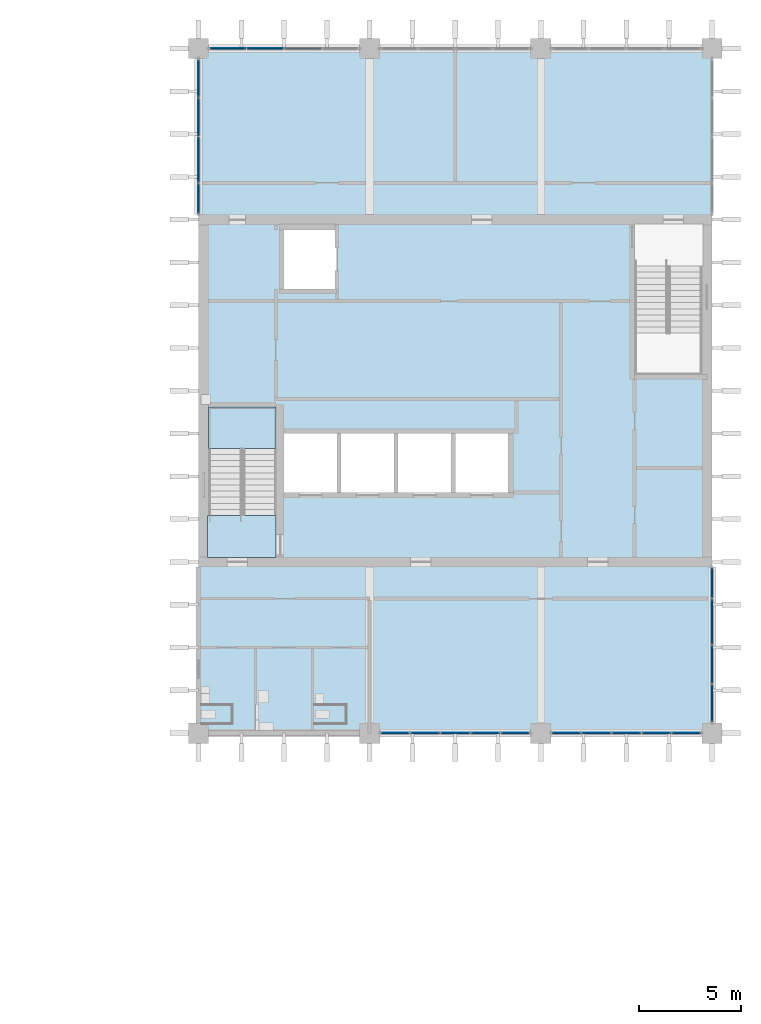
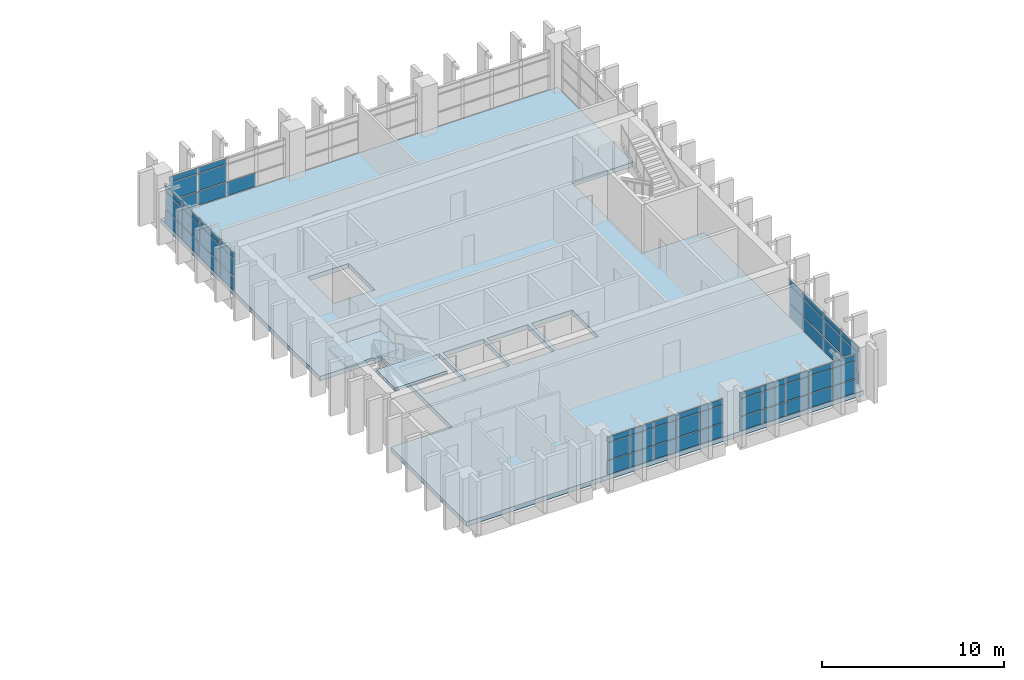
# One storey, part 9 of 24: 61 plates, 3 slabs, 6 elements without a shape of their own.
"""IFC4 building model written with IfcOpenShell, lengths in metres."""

from ifc_helpers import new_model, si_unit, direction, frame, origin, origin_2d, place, context, subcontext, project, spatial, polyline, rectangle, outline, extrude, material, layer, layer_set, type_object, element, aggregate, save


model = new_model("IFC4")

# Units and contexts
model_context = context("Model", 3, precision=1e-05, world=origin(), true_north=direction((0.0, 1.0)))
body_context = subcontext(model_context, "Body", "Model", "MODEL_VIEW")
ifc_project = project(units=[si_unit("LENGTHUNIT", "METRE"), si_unit("AREAUNIT", "SQUARE_METRE"), si_unit("VOLUMEUNIT", "CUBIC_METRE"), si_unit("PLANEANGLEUNIT", "RADIAN"), si_unit("MASSUNIT", "GRAM", prefix="KILO")], contexts=[model_context])

# Site, building, storey
site_placement = place(None, origin())
site = spatial("IfcSite", under=ifc_project, at=site_placement, CompositionType="ELEMENT")
building_placement = place(site_placement, origin())
building = spatial("IfcBuilding", under=site, at=building_placement, Name="Rulbaag Community and Learning Centre", CompositionType="ELEMENT")
storey_placement = place(building_placement, frame((0.0, 0.0, 14.39990234375)))
storey = spatial("IfcBuildingStorey", under=building, at=storey_placement, Name="L03", CompositionType="ELEMENT", Elevation=14.39990234375)

# Curtain wall, plates
ifc_material_1 = material(Name="Aluminium", Category="aluminium")
ifc_layer_1 = layer(ifc_material_1, 0.14990234375)
ifc_layer_set_1 = layer_set([ifc_layer_1], Name="CW-S")
curtain_wall_type_1 = type_object("IfcCurtainWallType", Name="CW-S", PredefinedType="USERDEFINED", material=ifc_layer_set_1)
curtain_wall_1_placement = place(storey_placement, origin())
curtain_wall_1 = element("IfcCurtainWall", 1, at=curtain_wall_1_placement, inside=storey, type_object=curtain_wall_type_1, Name="GS-L03-01", ObjectType="UNITISED CURTAIN WALL", PredefinedType="USERDEFINED")
ifc_layer_2 = layer(ifc_material_1, 0.054931640625)
ifc_layer_set_2 = layer_set([ifc_layer_2], Name="CW-S-SPN")
plate_type_1 = type_object("IfcPlateType", Name="CW-S-SPN", PredefinedType="CURTAIN_PANEL", material=ifc_layer_set_2)
plate_1_placement = place(storey_placement, frame((152.455078125, 84.0, 0.06005859375), z_axis=(0.0, 0.0, 1.0), x_axis=(1.0, 0.0, 0.0)))
plate_1 = element("IfcPlate", 2, at=plate_1_placement, type_object=plate_type_1, Name="GS spandrel panel", PredefinedType="CURTAIN_PANEL", context=body_context, shape_type="SweptSolid", body=[
    extrude(rectangle(XDim=1.389892578125, YDim=0.054931640625, at=origin_2d()), origin(), (0.0, 0.0, 1.0), 0.909912109375),
])
plate_2_placement = place(storey_placement, frame((152.455078125, 84.0, 2.22998046875), z_axis=(0.0, 0.0, 1.0), x_axis=(1.0, 0.0, 0.0)))
plate_2 = element("IfcPlate", 3, at=plate_2_placement, type_object=plate_type_1, Name="GS spandrel panel", PredefinedType="CURTAIN_PANEL", context=body_context, shape_type="SweptSolid", body=[
    extrude(rectangle(XDim=1.389892578125, YDim=0.054931640625, at=origin_2d()), origin(), (0.0, 0.0, 1.0), 0.360107421875),
])
plate_3_placement = place(storey_placement, frame((153.919921875, 84.0, 0.06005859375), z_axis=(0.0, 0.0, 1.0), x_axis=(1.0, 0.0, 0.0)))
plate_3 = element("IfcPlate", 4, at=plate_3_placement, type_object=plate_type_1, Name="GS spandrel panel", PredefinedType="CURTAIN_PANEL", context=body_context, shape_type="SweptSolid", body=[
    extrude(rectangle(XDim=1.419921875, YDim=0.054931640625, at=origin_2d()), origin(), (0.0, 0.0, 1.0), 0.909912109375),
])
plate_4_placement = place(storey_placement, frame((153.919921875, 84.0, 2.22998046875), z_axis=(0.0, 0.0, 1.0), x_axis=(1.0, 0.0, 0.0)))
plate_4 = element("IfcPlate", 5, at=plate_4_placement, type_object=plate_type_1, Name="GS spandrel panel", PredefinedType="CURTAIN_PANEL", context=body_context, shape_type="SweptSolid", body=[
    extrude(rectangle(XDim=1.419921875, YDim=0.054931640625, at=origin_2d()), origin(), (0.0, 0.0, 1.0), 0.360107421875),
])
plate_5_placement = place(storey_placement, frame((155.39990234375, 84.0, 0.06005859375), z_axis=(0.0, 0.0, 1.0), x_axis=(1.0, 0.0, 0.0)))
plate_5 = element("IfcPlate", 6, at=plate_5_placement, type_object=plate_type_1, Name="GS spandrel panel", PredefinedType="CURTAIN_PANEL", context=body_context, shape_type="SweptSolid", body=[
    extrude(rectangle(XDim=1.419921875, YDim=0.054931640625, at=origin_2d()), origin(), (0.0, 0.0, 1.0), 0.909912109375),
])
plate_6_placement = place(storey_placement, frame((155.39990234375, 84.0, 2.22998046875), z_axis=(0.0, 0.0, 1.0), x_axis=(1.0, 0.0, 0.0)))
plate_6 = element("IfcPlate", 7, at=plate_6_placement, type_object=plate_type_1, Name="GS spandrel panel", PredefinedType="CURTAIN_PANEL", context=body_context, shape_type="SweptSolid", body=[
    extrude(rectangle(XDim=1.419921875, YDim=0.054931640625, at=origin_2d()), origin(), (0.0, 0.0, 1.0), 0.360107421875),
])
plate_7_placement = place(storey_placement, frame((156.8798828125, 84.0, 0.06005859375), z_axis=(0.0, 0.0, 1.0), x_axis=(1.0, 0.0, 0.0)))
plate_7 = element("IfcPlate", 8, at=plate_7_placement, type_object=plate_type_1, Name="GS spandrel panel", PredefinedType="CURTAIN_PANEL", context=body_context, shape_type="SweptSolid", body=[
    extrude(rectangle(XDim=1.419921875, YDim=0.054931640625, at=origin_2d()), origin(), (0.0, 0.0, 1.0), 0.909912109375),
])
plate_8_placement = place(storey_placement, frame((156.8798828125, 84.0, 2.22998046875), z_axis=(0.0, 0.0, 1.0), x_axis=(1.0, 0.0, 0.0)))
plate_8 = element("IfcPlate", 9, at=plate_8_placement, type_object=plate_type_1, Name="GS spandrel panel", PredefinedType="CURTAIN_PANEL", context=body_context, shape_type="SweptSolid", body=[
    extrude(rectangle(XDim=1.419921875, YDim=0.054931640625, at=origin_2d()), origin(), (0.0, 0.0, 1.0), 0.360107421875),
])
plate_9_placement = place(storey_placement, frame((158.344970703125, 84.0, 0.06005859375), z_axis=(0.0, 0.0, 1.0), x_axis=(1.0, 0.0, 0.0)))
plate_9 = element("IfcPlate", 10, at=plate_9_placement, type_object=plate_type_1, Name="GS spandrel panel", PredefinedType="CURTAIN_PANEL", context=body_context, shape_type="SweptSolid", body=[
    extrude(rectangle(XDim=1.389892578125, YDim=0.054931640625, at=origin_2d()), origin(), (0.0, 0.0, 1.0), 0.909912109375),
])
plate_10_placement = place(storey_placement, frame((158.344970703125, 84.0, 2.22998046875), z_axis=(0.0, 0.0, 1.0), x_axis=(1.0, 0.0, 0.0)))
plate_10 = element("IfcPlate", 11, at=plate_10_placement, type_object=plate_type_1, Name="GS spandrel panel", PredefinedType="CURTAIN_PANEL", context=body_context, shape_type="SweptSolid", body=[
    extrude(rectangle(XDim=1.389892578125, YDim=0.054931640625, at=origin_2d()), origin(), (0.0, 0.0, 1.0), 0.360107421875),
])

curtain_wall_2_placement = place(storey_placement, origin())
curtain_wall_2 = element("IfcCurtainWall", 12, at=curtain_wall_2_placement, inside=storey, type_object=curtain_wall_type_1, Name="GS-L03-02", ObjectType="UNITISED CURTAIN WALL", PredefinedType="USERDEFINED")
plate_11_placement = place(storey_placement, frame((160.85498046875, 84.0, 0.06005859375), z_axis=(0.0, 0.0, 1.0), x_axis=(1.0, 0.0, 0.0)))
plate_11 = element("IfcPlate", 13, at=plate_11_placement, type_object=plate_type_1, Name="GS spandrel panel", PredefinedType="CURTAIN_PANEL", context=body_context, shape_type="SweptSolid", body=[
    extrude(rectangle(XDim=1.389892578125, YDim=0.054931640625, at=origin_2d()), origin(), (0.0, 0.0, 1.0), 0.909912109375),
])
plate_12_placement = place(storey_placement, frame((160.85498046875, 84.0, 2.22998046875), z_axis=(0.0, 0.0, 1.0), x_axis=(1.0, 0.0, 0.0)))
plate_12 = element("IfcPlate", 14, at=plate_12_placement, type_object=plate_type_1, Name="GS spandrel panel", PredefinedType="CURTAIN_PANEL", context=body_context, shape_type="SweptSolid", body=[
    extrude(rectangle(XDim=1.389892578125, YDim=0.054931640625, at=origin_2d()), origin(), (0.0, 0.0, 1.0), 0.360107421875),
])
plate_13_placement = place(storey_placement, frame((162.320068359375, 84.0, 0.06005859375), z_axis=(0.0, 0.0, 1.0), x_axis=(1.0, 0.0, 0.0)))
plate_13 = element("IfcPlate", 15, at=plate_13_placement, type_object=plate_type_1, Name="GS spandrel panel", PredefinedType="CURTAIN_PANEL", context=body_context, shape_type="SweptSolid", body=[
    extrude(rectangle(XDim=1.419921875, YDim=0.054931640625, at=origin_2d()), origin(), (0.0, 0.0, 1.0), 0.909912109375),
])
plate_14_placement = place(storey_placement, frame((162.320068359375, 84.0, 2.22998046875), z_axis=(0.0, 0.0, 1.0), x_axis=(1.0, 0.0, 0.0)))
plate_14 = element("IfcPlate", 16, at=plate_14_placement, type_object=plate_type_1, Name="GS spandrel panel", PredefinedType="CURTAIN_PANEL", context=body_context, shape_type="SweptSolid", body=[
    extrude(rectangle(XDim=1.419921875, YDim=0.054931640625, at=origin_2d()), origin(), (0.0, 0.0, 1.0), 0.360107421875),
])
plate_15_placement = place(storey_placement, frame((163.800048828125, 84.0, 0.06005859375), z_axis=(0.0, 0.0, 1.0), x_axis=(1.0, 0.0, 0.0)))
plate_15 = element("IfcPlate", 17, at=plate_15_placement, type_object=plate_type_1, Name="GS spandrel panel", PredefinedType="CURTAIN_PANEL", context=body_context, shape_type="SweptSolid", body=[
    extrude(rectangle(XDim=1.419921875, YDim=0.054931640625, at=origin_2d()), origin(), (0.0, 0.0, 1.0), 0.909912109375),
])
plate_16_placement = place(storey_placement, frame((163.800048828125, 84.0, 2.22998046875), z_axis=(0.0, 0.0, 1.0), x_axis=(1.0, 0.0, 0.0)))
plate_16 = element("IfcPlate", 18, at=plate_16_placement, type_object=plate_type_1, Name="GS spandrel panel", PredefinedType="CURTAIN_PANEL", context=body_context, shape_type="SweptSolid", body=[
    extrude(rectangle(XDim=1.419921875, YDim=0.054931640625, at=origin_2d()), origin(), (0.0, 0.0, 1.0), 0.360107421875),
])
plate_17_placement = place(storey_placement, frame((165.280029296875, 84.0, 0.06005859375), z_axis=(0.0, 0.0, 1.0), x_axis=(1.0, 0.0, 0.0)))
plate_17 = element("IfcPlate", 19, at=plate_17_placement, type_object=plate_type_1, Name="GS spandrel panel", PredefinedType="CURTAIN_PANEL", context=body_context, shape_type="SweptSolid", body=[
    extrude(rectangle(XDim=1.419921875, YDim=0.054931640625, at=origin_2d()), origin(), (0.0, 0.0, 1.0), 0.909912109375),
])
plate_18_placement = place(storey_placement, frame((165.280029296875, 84.0, 2.22998046875), z_axis=(0.0, 0.0, 1.0), x_axis=(1.0, 0.0, 0.0)))
plate_18 = element("IfcPlate", 20, at=plate_18_placement, type_object=plate_type_1, Name="GS spandrel panel", PredefinedType="CURTAIN_PANEL", context=body_context, shape_type="SweptSolid", body=[
    extrude(rectangle(XDim=1.419921875, YDim=0.054931640625, at=origin_2d()), origin(), (0.0, 0.0, 1.0), 0.360107421875),
])
plate_19_placement = place(storey_placement, frame((166.7451171875, 84.0, 0.06005859375), z_axis=(0.0, 0.0, 1.0), x_axis=(1.0, 0.0, 0.0)))
plate_19 = element("IfcPlate", 21, at=plate_19_placement, type_object=plate_type_1, Name="GS spandrel panel", PredefinedType="CURTAIN_PANEL", context=body_context, shape_type="SweptSolid", body=[
    extrude(rectangle(XDim=1.389892578125, YDim=0.054931640625, at=origin_2d()), origin(), (0.0, 0.0, 1.0), 0.909912109375),
])
plate_20_placement = place(storey_placement, frame((166.7451171875, 84.0, 2.22998046875), z_axis=(0.0, 0.0, 1.0), x_axis=(1.0, 0.0, 0.0)))
plate_20 = element("IfcPlate", 22, at=plate_20_placement, type_object=plate_type_1, Name="GS spandrel panel", PredefinedType="CURTAIN_PANEL", context=body_context, shape_type="SweptSolid", body=[
    extrude(rectangle(XDim=1.389892578125, YDim=0.054931640625, at=origin_2d()), origin(), (0.0, 0.0, 1.0), 0.360107421875),
])

# Plate
ifc_material_2 = material(Name="Glass", Category="glass")
ifc_layer_3 = layer(ifc_material_2, 0.030029296875)
ifc_layer_set_3 = layer_set([ifc_layer_3], Name="CW-S-VIS")
plate_type_2 = type_object("IfcPlateType", Name="CW-S-VIS", PredefinedType="CURTAIN_PANEL", material=ifc_layer_set_3)
plate_21_placement = place(storey_placement, frame((152.455078125, 84.0, 1.0302734375), z_axis=(0.0, 0.0, 1.0), x_axis=(1.0, 0.0, 0.0)))
plate_21 = element("IfcPlate", 23, at=plate_21_placement, type_object=plate_type_2, Name="GS vision panel", PredefinedType="CURTAIN_PANEL", context=body_context, shape_type="SweptSolid", body=[
    extrude(rectangle(XDim=1.389892578125, YDim=0.030029296875, at=origin_2d()), origin(), (0.0, 0.0, 1.0), 1.139892578125),
])

plate_22_placement = place(storey_placement, frame((153.919921875, 84.0, 1.0302734375), z_axis=(0.0, 0.0, 1.0), x_axis=(1.0, 0.0, 0.0)))
plate_22 = element("IfcPlate", 24, at=plate_22_placement, type_object=plate_type_2, Name="GS vision panel", PredefinedType="CURTAIN_PANEL", context=body_context, shape_type="SweptSolid", body=[
    extrude(rectangle(XDim=1.419921875, YDim=0.030029296875, at=origin_2d()), origin(), (0.0, 0.0, 1.0), 1.139892578125),
])

plate_23_placement = place(storey_placement, frame((155.39990234375, 84.0, 1.0302734375), z_axis=(0.0, 0.0, 1.0), x_axis=(1.0, 0.0, 0.0)))
plate_23 = element("IfcPlate", 25, at=plate_23_placement, type_object=plate_type_2, Name="GS vision panel", PredefinedType="CURTAIN_PANEL", context=body_context, shape_type="SweptSolid", body=[
    extrude(rectangle(XDim=1.419921875, YDim=0.030029296875, at=origin_2d()), origin(), (0.0, 0.0, 1.0), 1.139892578125),
])

plate_24_placement = place(storey_placement, frame((156.8798828125, 84.0, 1.0302734375), z_axis=(0.0, 0.0, 1.0), x_axis=(1.0, 0.0, 0.0)))
plate_24 = element("IfcPlate", 26, at=plate_24_placement, type_object=plate_type_2, Name="GS vision panel", PredefinedType="CURTAIN_PANEL", context=body_context, shape_type="SweptSolid", body=[
    extrude(rectangle(XDim=1.419921875, YDim=0.030029296875, at=origin_2d()), origin(), (0.0, 0.0, 1.0), 1.139892578125),
])

plate_25_placement = place(storey_placement, frame((158.344970703125, 84.0, 1.0302734375), z_axis=(0.0, 0.0, 1.0), x_axis=(1.0, 0.0, 0.0)))
plate_25 = element("IfcPlate", 27, at=plate_25_placement, type_object=plate_type_2, Name="GS vision panel", PredefinedType="CURTAIN_PANEL", context=body_context, shape_type="SweptSolid", body=[
    extrude(rectangle(XDim=1.389892578125, YDim=0.030029296875, at=origin_2d()), origin(), (0.0, 0.0, 1.0), 1.139892578125),
])

aggregate(curtain_wall_1, [plate_1, plate_21, plate_2, plate_3, plate_22, plate_4, plate_5, plate_23, plate_6, plate_7, plate_24, plate_8, plate_9, plate_25, plate_10])

plate_26_placement = place(storey_placement, frame((160.85498046875, 84.0, 1.0302734375), z_axis=(0.0, 0.0, 1.0), x_axis=(1.0, 0.0, 0.0)))
plate_26 = element("IfcPlate", 28, at=plate_26_placement, type_object=plate_type_2, Name="GS vision panel", PredefinedType="CURTAIN_PANEL", context=body_context, shape_type="SweptSolid", body=[
    extrude(rectangle(XDim=1.389892578125, YDim=0.030029296875, at=origin_2d()), origin(), (0.0, 0.0, 1.0), 1.139892578125),
])

plate_27_placement = place(storey_placement, frame((162.320068359375, 84.0, 1.0302734375), z_axis=(0.0, 0.0, 1.0), x_axis=(1.0, 0.0, 0.0)))
plate_27 = element("IfcPlate", 29, at=plate_27_placement, type_object=plate_type_2, Name="GS vision panel", PredefinedType="CURTAIN_PANEL", context=body_context, shape_type="SweptSolid", body=[
    extrude(rectangle(XDim=1.419921875, YDim=0.030029296875, at=origin_2d()), origin(), (0.0, 0.0, 1.0), 1.139892578125),
])

plate_28_placement = place(storey_placement, frame((163.800048828125, 84.0, 1.0302734375), z_axis=(0.0, 0.0, 1.0), x_axis=(1.0, 0.0, 0.0)))
plate_28 = element("IfcPlate", 30, at=plate_28_placement, type_object=plate_type_2, Name="GS vision panel", PredefinedType="CURTAIN_PANEL", context=body_context, shape_type="SweptSolid", body=[
    extrude(rectangle(XDim=1.419921875, YDim=0.030029296875, at=origin_2d()), origin(), (0.0, 0.0, 1.0), 1.139892578125),
])

plate_29_placement = place(storey_placement, frame((165.280029296875, 84.0, 1.0302734375), z_axis=(0.0, 0.0, 1.0), x_axis=(1.0, 0.0, 0.0)))
plate_29 = element("IfcPlate", 31, at=plate_29_placement, type_object=plate_type_2, Name="GS vision panel", PredefinedType="CURTAIN_PANEL", context=body_context, shape_type="SweptSolid", body=[
    extrude(rectangle(XDim=1.419921875, YDim=0.030029296875, at=origin_2d()), origin(), (0.0, 0.0, 1.0), 1.139892578125),
])

plate_30_placement = place(storey_placement, frame((166.7451171875, 84.0, 1.0302734375), z_axis=(0.0, 0.0, 1.0), x_axis=(1.0, 0.0, 0.0)))
plate_30 = element("IfcPlate", 32, at=plate_30_placement, type_object=plate_type_2, Name="GS vision panel", PredefinedType="CURTAIN_PANEL", context=body_context, shape_type="SweptSolid", body=[
    extrude(rectangle(XDim=1.389892578125, YDim=0.030029296875, at=origin_2d()), origin(), (0.0, 0.0, 1.0), 1.139892578125),
])

aggregate(curtain_wall_2, [plate_11, plate_26, plate_12, plate_13, plate_27, plate_14, plate_15, plate_28, plate_16, plate_17, plate_29, plate_18, plate_19, plate_30, plate_20])

# Curtain wall, plates
ifc_layer_4 = layer(ifc_material_1, 0.14990234375)
ifc_layer_set_4 = layer_set([ifc_layer_4], Name="CW-T")
curtain_wall_type_2 = type_object("IfcCurtainWallType", Name="CW-T", PredefinedType="USERDEFINED", material=ifc_layer_set_4)
curtain_wall_3_placement = place(storey_placement, origin())
curtain_wall_3 = element("IfcCurtainWall", 33, at=curtain_wall_3_placement, inside=storey, type_object=curtain_wall_type_2, Name="GT-L03-01", ObjectType="UNITISED CURTAIN WALL", PredefinedType="USERDEFINED")
ifc_layer_5 = layer(ifc_material_1, 0.06005859375)
ifc_layer_set_5 = layer_set([ifc_layer_5], Name="CW-T-SPN")
plate_type_3 = type_object("IfcPlateType", Name="CW-T-SPN", PredefinedType="CURTAIN_PANEL", material=ifc_layer_set_5)
plate_31_placement = place(storey_placement, frame((144.2412109375, 117.60009765625, 0.06494140625), z_axis=(0.0, 0.0, 1.0), x_axis=(1.0, 0.0, 0.0)))
plate_31 = element("IfcPlate", 34, at=plate_31_placement, type_object=plate_type_3, Name="GT spandrel panel", PredefinedType="CURTAIN_PANEL", context=body_context, shape_type="SweptSolid", body=[
    extrude(rectangle(XDim=1.75244140625, YDim=0.06005859375, at=origin_2d()), origin(), (0.0, 0.0, 1.0), 0.902587890625),
])
plate_32_placement = place(storey_placement, frame((144.2412109375, 117.60009765625, 2.232666015625), z_axis=(0.0, 0.0, 1.0), x_axis=(1.0, 0.0, 0.0)))
plate_32 = element("IfcPlate", 35, at=plate_32_placement, type_object=plate_type_3, Name="GT spandrel panel", PredefinedType="CURTAIN_PANEL", context=body_context, shape_type="SweptSolid", body=[
    extrude(rectangle(XDim=1.75244140625, YDim=0.06005859375, at=origin_2d()), origin(), (0.0, 0.0, 1.0), 0.3525390625),
])
plate_33_placement = place(storey_placement, frame((146.074951171875, 117.60009765625, 0.06494140625), z_axis=(0.0, 0.0, 1.0), x_axis=(1.0, 0.0, 0.0)))
plate_33 = element("IfcPlate", 36, at=plate_33_placement, type_object=plate_type_3, Name="GT spandrel panel", PredefinedType="CURTAIN_PANEL", context=body_context, shape_type="SweptSolid", body=[
    extrude(rectangle(XDim=1.784912109375, YDim=0.06005859375, at=origin_2d()), origin(), (0.0, 0.0, 1.0), 0.902587890625),
])
plate_34_placement = place(storey_placement, frame((146.074951171875, 117.60009765625, 2.232666015625), z_axis=(0.0, 0.0, 1.0), x_axis=(1.0, 0.0, 0.0)))
plate_34 = element("IfcPlate", 37, at=plate_34_placement, type_object=plate_type_3, Name="GT spandrel panel", PredefinedType="CURTAIN_PANEL", context=body_context, shape_type="SweptSolid", body=[
    extrude(rectangle(XDim=1.784912109375, YDim=0.06005859375, at=origin_2d()), origin(), (0.0, 0.0, 1.0), 0.3525390625),
])
plate_35_placement = place(storey_placement, frame((147.925048828125, 117.60009765625, 0.06494140625), z_axis=(0.0, 0.0, 1.0), x_axis=(1.0, 0.0, 0.0)))
plate_35 = element("IfcPlate", 38, at=plate_35_placement, type_object=plate_type_3, Name="GT spandrel panel", PredefinedType="CURTAIN_PANEL", context=body_context, shape_type="SweptSolid", body=[
    extrude(rectangle(XDim=1.784912109375, YDim=0.06005859375, at=origin_2d()), origin(), (0.0, 0.0, 1.0), 0.902587890625),
])

curtain_wall_4_placement = place(storey_placement, origin())
curtain_wall_4 = element("IfcCurtainWall", 39, at=curtain_wall_4_placement, inside=storey, type_object=curtain_wall_type_2, Name="GT-L03-04", ObjectType="UNITISED CURTAIN WALL", PredefinedType="USERDEFINED")
plate_36_placement = place(storey_placement, frame((142.800048828125, 110.2412109375, 0.06494140625), z_axis=(0.0, 0.0, 1.0), x_axis=(0.0, 1.0, 0.0)))
plate_36 = element("IfcPlate", 40, at=plate_36_placement, type_object=plate_type_3, Name="GT spandrel panel", PredefinedType="CURTAIN_PANEL", context=body_context, shape_type="SweptSolid", body=[
    extrude(rectangle(XDim=1.452392578125, YDim=0.06005859375, at=origin_2d()), origin(), (0.0, 0.0, 1.0), 0.902587890625),
])
plate_37_placement = place(storey_placement, frame((142.800048828125, 110.2412109375, 2.232666015625), z_axis=(0.0, 0.0, 1.0), x_axis=(0.0, 1.0, 0.0)))
plate_37 = element("IfcPlate", 41, at=plate_37_placement, type_object=plate_type_3, Name="GT spandrel panel", PredefinedType="CURTAIN_PANEL", context=body_context, shape_type="SweptSolid", body=[
    extrude(rectangle(XDim=1.452392578125, YDim=0.06005859375, at=origin_2d()), origin(), (0.0, 0.0, 1.0), 0.3525390625),
])
plate_38_placement = place(storey_placement, frame((142.800048828125, 112.137451171875, 0.06494140625), z_axis=(0.0, 0.0, 1.0), x_axis=(0.0, 1.0, 0.0)))
plate_38 = element("IfcPlate", 42, at=plate_38_placement, type_object=plate_type_3, Name="GT spandrel panel", PredefinedType="CURTAIN_PANEL", context=body_context, shape_type="SweptSolid", body=[
    extrude(rectangle(XDim=2.2099609375, YDim=0.06005859375, at=origin_2d()), origin(), (0.0, 0.0, 1.0), 0.902587890625),
])
plate_39_placement = place(storey_placement, frame((142.800048828125, 112.137451171875, 2.232666015625), z_axis=(0.0, 0.0, 1.0), x_axis=(0.0, 1.0, 0.0)))
plate_39 = element("IfcPlate", 43, at=plate_39_placement, type_object=plate_type_3, Name="GT spandrel panel", PredefinedType="CURTAIN_PANEL", context=body_context, shape_type="SweptSolid", body=[
    extrude(rectangle(XDim=2.2099609375, YDim=0.06005859375, at=origin_2d()), origin(), (0.0, 0.0, 1.0), 0.3525390625),
])
plate_40_placement = place(storey_placement, frame((142.800048828125, 114.231201171875, 0.06494140625), z_axis=(0.0, 0.0, 1.0), x_axis=(0.0, 1.0, 0.0)))
plate_40 = element("IfcPlate", 44, at=plate_40_placement, type_object=plate_type_3, Name="GT spandrel panel", PredefinedType="CURTAIN_PANEL", context=body_context, shape_type="SweptSolid", body=[
    extrude(rectangle(XDim=1.847412109375, YDim=0.06005859375, at=origin_2d()), origin(), (0.0, 0.0, 1.0), 0.902587890625),
])
plate_41_placement = place(storey_placement, frame((142.800048828125, 114.231201171875, 2.232666015625), z_axis=(0.0, 0.0, 1.0), x_axis=(0.0, 1.0, 0.0)))
plate_41 = element("IfcPlate", 45, at=plate_41_placement, type_object=plate_type_3, Name="GT spandrel panel", PredefinedType="CURTAIN_PANEL", context=body_context, shape_type="SweptSolid", body=[
    extrude(rectangle(XDim=1.847412109375, YDim=0.06005859375, at=origin_2d()), origin(), (0.0, 0.0, 1.0), 0.3525390625),
])
plate_42_placement = place(storey_placement, frame((142.800048828125, 116.12744140625, 0.06494140625), z_axis=(0.0, 0.0, 1.0), x_axis=(0.0, 1.0, 0.0)))
plate_42 = element("IfcPlate", 46, at=plate_42_placement, type_object=plate_type_3, Name="GT spandrel panel", PredefinedType="CURTAIN_PANEL", context=body_context, shape_type="SweptSolid", body=[
    extrude(rectangle(XDim=1.81494140625, YDim=0.06005859375, at=origin_2d()), origin(), (0.0, 0.0, 1.0), 0.902587890625),
])
plate_43_placement = place(storey_placement, frame((142.800048828125, 116.12744140625, 2.232666015625), z_axis=(0.0, 0.0, 1.0), x_axis=(0.0, 1.0, 0.0)))
plate_43 = element("IfcPlate", 47, at=plate_43_placement, type_object=plate_type_3, Name="GT spandrel panel", PredefinedType="CURTAIN_PANEL", context=body_context, shape_type="SweptSolid", body=[
    extrude(rectangle(XDim=1.81494140625, YDim=0.06005859375, at=origin_2d()), origin(), (0.0, 0.0, 1.0), 0.3525390625),
])

curtain_wall_5_placement = place(storey_placement, origin())
curtain_wall_5 = element("IfcCurtainWall", 48, at=curtain_wall_5_placement, inside=storey, type_object=curtain_wall_type_2, Name="GT-L03-05", ObjectType="UNITISED CURTAIN WALL", PredefinedType="USERDEFINED")
plate_44_placement = place(storey_placement, frame((168.0, 85.472412109375, 0.06494140625), z_axis=(0.0, 0.0, 1.0), x_axis=(0.0, 1.0, 0.0)))
plate_44 = element("IfcPlate", 49, at=plate_44_placement, type_object=plate_type_3, Name="GT spandrel panel", PredefinedType="CURTAIN_PANEL", context=body_context, shape_type="SweptSolid", body=[
    extrude(rectangle(XDim=1.81494140625, YDim=0.06005859375, at=origin_2d()), origin(), (0.0, 0.0, 1.0), 0.902587890625),
])
plate_45_placement = place(storey_placement, frame((168.0, 85.472412109375, 2.232666015625), z_axis=(0.0, 0.0, 1.0), x_axis=(0.0, 1.0, 0.0)))
plate_45 = element("IfcPlate", 50, at=plate_45_placement, type_object=plate_type_3, Name="GT spandrel panel", PredefinedType="CURTAIN_PANEL", context=body_context, shape_type="SweptSolid", body=[
    extrude(rectangle(XDim=1.81494140625, YDim=0.06005859375, at=origin_2d()), origin(), (0.0, 0.0, 1.0), 0.3525390625),
])
plate_46_placement = place(storey_placement, frame((168.0, 87.36865234375, 0.06494140625), z_axis=(0.0, 0.0, 1.0), x_axis=(0.0, 1.0, 0.0)))
plate_46 = element("IfcPlate", 51, at=plate_46_placement, type_object=plate_type_3, Name="GT spandrel panel", PredefinedType="CURTAIN_PANEL", context=body_context, shape_type="SweptSolid", body=[
    extrude(rectangle(XDim=1.847412109375, YDim=0.06005859375, at=origin_2d()), origin(), (0.0, 0.0, 1.0), 0.902587890625),
])
plate_47_placement = place(storey_placement, frame((168.0, 87.36865234375, 2.232666015625), z_axis=(0.0, 0.0, 1.0), x_axis=(0.0, 1.0, 0.0)))
plate_47 = element("IfcPlate", 52, at=plate_47_placement, type_object=plate_type_3, Name="GT spandrel panel", PredefinedType="CURTAIN_PANEL", context=body_context, shape_type="SweptSolid", body=[
    extrude(rectangle(XDim=1.847412109375, YDim=0.06005859375, at=origin_2d()), origin(), (0.0, 0.0, 1.0), 0.3525390625),
])
plate_48_placement = place(storey_placement, frame((168.0, 89.46240234375, 0.06494140625), z_axis=(0.0, 0.0, 1.0), x_axis=(0.0, 1.0, 0.0)))
plate_48 = element("IfcPlate", 53, at=plate_48_placement, type_object=plate_type_3, Name="GT spandrel panel", PredefinedType="CURTAIN_PANEL", context=body_context, shape_type="SweptSolid", body=[
    extrude(rectangle(XDim=2.2099609375, YDim=0.06005859375, at=origin_2d()), origin(), (0.0, 0.0, 1.0), 0.902587890625),
])
plate_49_placement = place(storey_placement, frame((168.0, 89.46240234375, 2.232666015625), z_axis=(0.0, 0.0, 1.0), x_axis=(0.0, 1.0, 0.0)))
plate_49 = element("IfcPlate", 54, at=plate_49_placement, type_object=plate_type_3, Name="GT spandrel panel", PredefinedType="CURTAIN_PANEL", context=body_context, shape_type="SweptSolid", body=[
    extrude(rectangle(XDim=2.2099609375, YDim=0.06005859375, at=origin_2d()), origin(), (0.0, 0.0, 1.0), 0.3525390625),
])
plate_50_placement = place(storey_placement, frame((168.0, 91.358642578125, 0.06494140625), z_axis=(0.0, 0.0, 1.0), x_axis=(0.0, 1.0, 0.0)))
plate_50 = element("IfcPlate", 55, at=plate_50_placement, type_object=plate_type_3, Name="GT spandrel panel", PredefinedType="CURTAIN_PANEL", context=body_context, shape_type="SweptSolid", body=[
    extrude(rectangle(XDim=1.452392578125, YDim=0.06005859375, at=origin_2d()), origin(), (0.0, 0.0, 1.0), 0.902587890625),
])
plate_51_placement = place(storey_placement, frame((168.0, 91.358642578125, 2.232666015625), z_axis=(0.0, 0.0, 1.0), x_axis=(0.0, 1.0, 0.0)))
plate_51 = element("IfcPlate", 56, at=plate_51_placement, type_object=plate_type_3, Name="GT spandrel panel", PredefinedType="CURTAIN_PANEL", context=body_context, shape_type="SweptSolid", body=[
    extrude(rectangle(XDim=1.452392578125, YDim=0.06005859375, at=origin_2d()), origin(), (0.0, 0.0, 1.0), 0.3525390625),
])

# Plate
ifc_layer_6 = layer(ifc_material_2, 0.028076171875)
ifc_layer_set_6 = layer_set([ifc_layer_6], Name="CW-T-VIS")
plate_type_4 = type_object("IfcPlateType", Name="CW-T-VIS", PredefinedType="CURTAIN_PANEL", material=ifc_layer_set_6)
plate_52_placement = place(storey_placement, frame((144.2412109375, 117.60009765625, 1.03271484375), z_axis=(0.0, 0.0, 1.0), x_axis=(1.0, 0.0, 0.0)))
plate_52 = element("IfcPlate", 57, at=plate_52_placement, type_object=plate_type_4, Name="GT vision panel", PredefinedType="CURTAIN_PANEL", context=body_context, shape_type="SweptSolid", body=[
    extrude(rectangle(XDim=1.75244140625, YDim=0.028076171875, at=origin_2d()), origin(), (0.0, 0.0, 1.0), 1.135009765625),
])

plate_53_placement = place(storey_placement, frame((146.074951171875, 117.60009765625, 1.03271484375), z_axis=(0.0, 0.0, 1.0), x_axis=(1.0, 0.0, 0.0)))
plate_53 = element("IfcPlate", 58, at=plate_53_placement, type_object=plate_type_4, Name="GT vision panel", PredefinedType="CURTAIN_PANEL", context=body_context, shape_type="SweptSolid", body=[
    extrude(rectangle(XDim=1.784912109375, YDim=0.028076171875, at=origin_2d()), origin(), (0.0, 0.0, 1.0), 1.135009765625),
])

aggregate(curtain_wall_3, [plate_31, plate_52, plate_32, plate_33, plate_53, plate_34, plate_35])

plate_54_placement = place(storey_placement, frame((142.800048828125, 110.2412109375, 1.03271484375), z_axis=(0.0, 0.0, 1.0), x_axis=(0.0, 1.0, 0.0)))
plate_54 = element("IfcPlate", 59, at=plate_54_placement, type_object=plate_type_4, Name="GT vision panel", PredefinedType="CURTAIN_PANEL", context=body_context, shape_type="SweptSolid", body=[
    extrude(rectangle(XDim=1.452392578125, YDim=0.028076171875, at=origin_2d()), origin(), (0.0, 0.0, 1.0), 1.135009765625),
])

plate_55_placement = place(storey_placement, frame((142.800048828125, 112.137451171875, 1.03271484375), z_axis=(0.0, 0.0, 1.0), x_axis=(0.0, 1.0, 0.0)))
plate_55 = element("IfcPlate", 60, at=plate_55_placement, type_object=plate_type_4, Name="GT vision panel", PredefinedType="CURTAIN_PANEL", context=body_context, shape_type="SweptSolid", body=[
    extrude(rectangle(XDim=2.2099609375, YDim=0.028076171875, at=origin_2d()), origin(), (0.0, 0.0, 1.0), 1.135009765625),
])

plate_56_placement = place(storey_placement, frame((142.800048828125, 114.231201171875, 1.03271484375), z_axis=(0.0, 0.0, 1.0), x_axis=(0.0, 1.0, 0.0)))
plate_56 = element("IfcPlate", 61, at=plate_56_placement, type_object=plate_type_4, Name="GT vision panel", PredefinedType="CURTAIN_PANEL", context=body_context, shape_type="SweptSolid", body=[
    extrude(rectangle(XDim=1.847412109375, YDim=0.028076171875, at=origin_2d()), origin(), (0.0, 0.0, 1.0), 1.135009765625),
])

plate_57_placement = place(storey_placement, frame((142.800048828125, 116.12744140625, 1.03271484375), z_axis=(0.0, 0.0, 1.0), x_axis=(0.0, 1.0, 0.0)))
plate_57 = element("IfcPlate", 62, at=plate_57_placement, type_object=plate_type_4, Name="GT vision panel", PredefinedType="CURTAIN_PANEL", context=body_context, shape_type="SweptSolid", body=[
    extrude(rectangle(XDim=1.81494140625, YDim=0.028076171875, at=origin_2d()), origin(), (0.0, 0.0, 1.0), 1.135009765625),
])

aggregate(curtain_wall_4, [plate_36, plate_54, plate_37, plate_38, plate_55, plate_39, plate_40, plate_56, plate_41, plate_42, plate_57, plate_43])

plate_58_placement = place(storey_placement, frame((168.0, 85.472412109375, 1.03271484375), z_axis=(0.0, 0.0, 1.0), x_axis=(0.0, 1.0, 0.0)))
plate_58 = element("IfcPlate", 63, at=plate_58_placement, type_object=plate_type_4, Name="GT vision panel", PredefinedType="CURTAIN_PANEL", context=body_context, shape_type="SweptSolid", body=[
    extrude(rectangle(XDim=1.81494140625, YDim=0.028076171875, at=origin_2d()), origin(), (0.0, 0.0, 1.0), 1.135009765625),
])

plate_59_placement = place(storey_placement, frame((168.0, 87.36865234375, 1.03271484375), z_axis=(0.0, 0.0, 1.0), x_axis=(0.0, 1.0, 0.0)))
plate_59 = element("IfcPlate", 64, at=plate_59_placement, type_object=plate_type_4, Name="GT vision panel", PredefinedType="CURTAIN_PANEL", context=body_context, shape_type="SweptSolid", body=[
    extrude(rectangle(XDim=1.847412109375, YDim=0.028076171875, at=origin_2d()), origin(), (0.0, 0.0, 1.0), 1.135009765625),
])

plate_60_placement = place(storey_placement, frame((168.0, 89.46240234375, 1.03271484375), z_axis=(0.0, 0.0, 1.0), x_axis=(0.0, 1.0, 0.0)))
plate_60 = element("IfcPlate", 65, at=plate_60_placement, type_object=plate_type_4, Name="GT vision panel", PredefinedType="CURTAIN_PANEL", context=body_context, shape_type="SweptSolid", body=[
    extrude(rectangle(XDim=2.2099609375, YDim=0.028076171875, at=origin_2d()), origin(), (0.0, 0.0, 1.0), 1.135009765625),
])

plate_61_placement = place(storey_placement, frame((168.0, 91.358642578125, 1.03271484375), z_axis=(0.0, 0.0, 1.0), x_axis=(0.0, 1.0, 0.0)))
plate_61 = element("IfcPlate", 66, at=plate_61_placement, type_object=plate_type_4, Name="GT vision panel", PredefinedType="CURTAIN_PANEL", context=body_context, shape_type="SweptSolid", body=[
    extrude(rectangle(XDim=1.452392578125, YDim=0.028076171875, at=origin_2d()), origin(), (0.0, 0.0, 1.0), 1.135009765625),
])

aggregate(curtain_wall_5, [plate_44, plate_58, plate_45, plate_46, plate_59, plate_47, plate_48, plate_60, plate_49, plate_50, plate_61, plate_51])

# Stair, slabs
ifc_material_3 = material(Name="Concrete M40", Category="concrete")
stair_type = type_object("IfcStairType", Name="ST-1650 STAIR 1650 WIDE", PredefinedType="HALF_TURN_STAIR", material=ifc_material_3)
stair_placement = place(storey_placement, origin())
stair = element("IfcStair", 67, at=stair_placement, inside=storey, type_object=stair_type, Name="Stair ST1 L03", PredefinedType="HALF_TURN_STAIR")
ifc_layer_7 = layer(ifc_material_3, 0.179931640625)
ifc_layer_set_7 = layer_set([ifc_layer_7], Name="LN-180 LANDING 180 Concrete M40")
slab_type_1 = type_object("IfcSlabType", Name="LN-180 LANDING 180 Concrete M40", PredefinedType="LANDING", material=ifc_layer_set_7)
slab_1_placement = place(storey_placement, frame((0.0, 0.0, 1.6201171875)))
slab_1 = element("IfcSlab", 68, at=slab_1_placement, type_object=slab_type_1, Name="ST1 landing 1", PredefinedType="LANDING", context=body_context, shape_type="SweptSolid", body=[
    extrude(outline(polyline([(143.300048828125, 97.97509765625), (143.300048828125, 100.0), (146.60009765625, 100.0), (146.60009765625, 97.97509765625), (143.300048828125, 97.97509765625)])), origin(), (0.0, 0.0, 1.0), 0.179931640625),
])
slab_2_placement = place(storey_placement, frame((0.0, 0.0, 3.420166015625)))
slab_2 = element("IfcSlab", 69, at=slab_2_placement, type_object=slab_type_1, Name="ST1 landing 2", PredefinedType="LANDING", context=body_context, shape_type="SweptSolid", body=[
    extrude(outline(polyline([(143.25, 92.625), (143.25, 94.675048828125), (146.60009765625, 94.675048828125), (146.60009765625, 92.625), (143.25, 92.625)])), origin(), (0.0, 0.0, 1.0), 0.179931640625),
])
aggregate(stair, [slab_1, slab_2])

# Slab
ifc_layer_8 = layer(ifc_material_3, 0.300048828125)
ifc_layer_set_8 = layer_set([ifc_layer_8], Name="S5 Floor slab 300 Concrete M40")
slab_type_2 = type_object("IfcSlabType", Name="S5 Floor slab 300 Concrete M40", PredefinedType="FLOOR", material=ifc_layer_set_8)
slab_3_placement = place(storey_placement, frame((0.0, 0.0, -0.2998046875)))
element("IfcSlab", 70, at=slab_3_placement, inside=storey, type_object=slab_type_2, Name="SL-L03-B01", PredefinedType="FLOOR", context=body_context, shape_type="SweptSolid", body=[
    extrude(outline(polyline([(142.800048828125, 84.0), (142.800048828125, 92.300048828125), (146.699951171875, 92.300048828125), (146.699951171875, 100.10009765625), (142.800048828125, 100.10009765625), (142.800048828125, 117.60009765625), (168.0, 117.60009765625), (168.0, 109.300048828125), (164.10009765625, 109.300048828125), (164.10009765625, 101.5), (168.0, 101.5), (168.0, 84.0), (142.800048828125, 84.0)]), holes=[polyline([(149.60009765625, 98.699951171875), (147.0, 98.699951171875), (147.0, 95.800048828125), (149.60009765625, 95.800048828125), (149.60009765625, 98.699951171875)]), polyline([(152.39990234375, 98.699951171875), (149.800048828125, 98.699951171875), (149.800048828125, 95.800048828125), (152.39990234375, 95.800048828125), (152.39990234375, 98.699951171875)]), polyline([(155.199951171875, 98.699951171875), (152.60009765625, 98.699951171875), (152.60009765625, 95.800048828125), (155.199951171875, 95.800048828125), (155.199951171875, 98.699951171875)]), polyline([(158.0, 98.699951171875), (155.39990234375, 98.699951171875), (155.39990234375, 95.800048828125), (158.0, 95.800048828125), (158.0, 98.699951171875)]), polyline([(149.60009765625, 108.699951171875), (147.0, 108.699951171875), (147.0, 105.800048828125), (149.60009765625, 105.800048828125), (149.60009765625, 108.699951171875)])]), origin(), (0.0, 0.0, 1.0), 0.2998046875),
])

save(model, "model.ifc")
